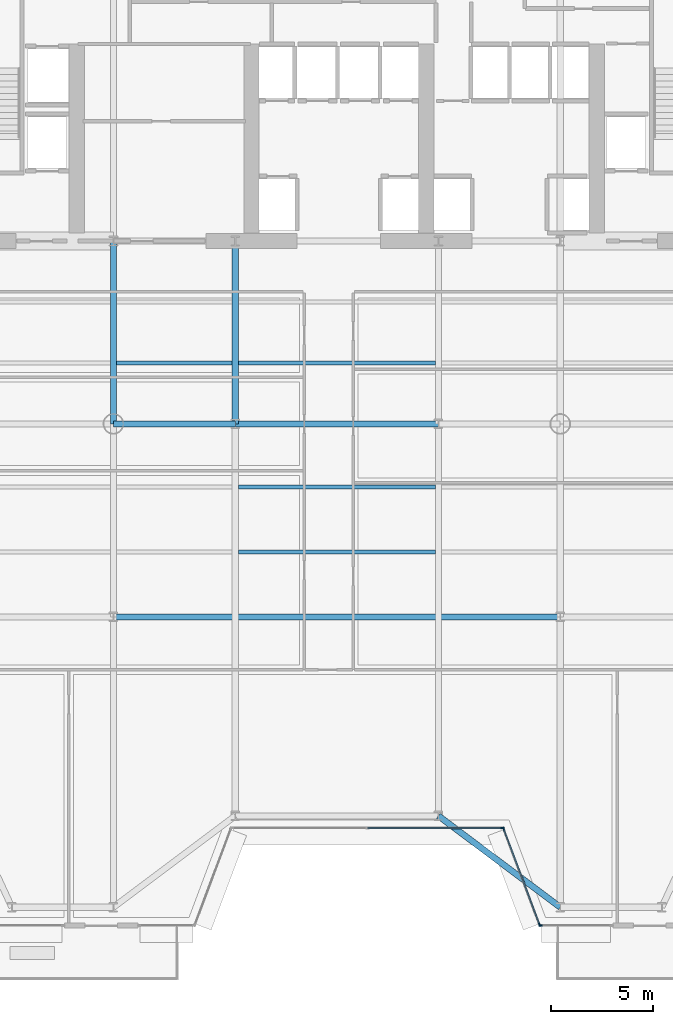
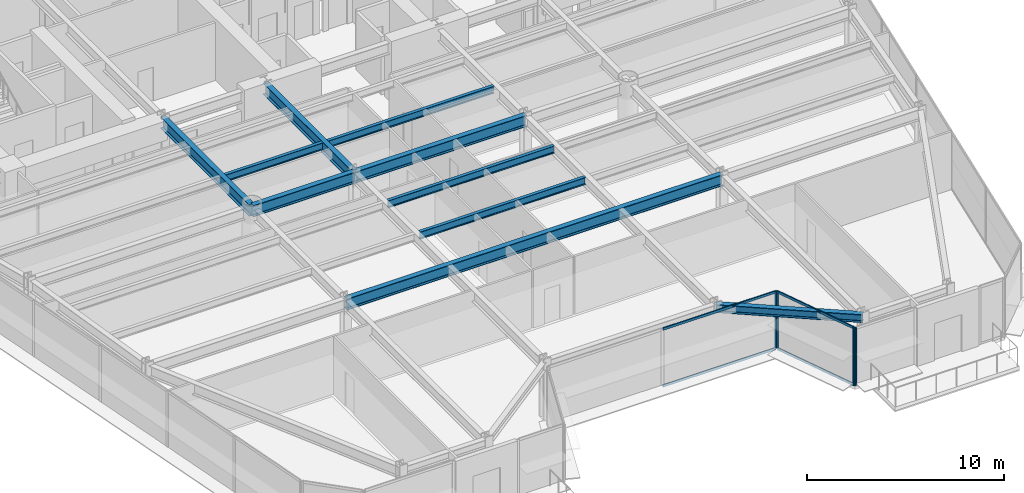
# One storey, part 4 of 17: 10 beams, 8 members, 3 elements without a shape of their own.
"""IFC4 building model written with IfcOpenShell, lengths in metres."""

from ifc_helpers import new_model, si_unit, direction, frame, origin, origin_2d, place, context, subcontext, project, spatial, rectangle, i_section, extrude, source, transform, mapped, material, layer, layer_set, material_profile, profile_set, type_object, element, aggregate, save


model = new_model("IFC4")

# Units and contexts
model_context = context("Model", 3, precision=1e-05, world=origin(), true_north=direction((0.0, 1.0)))
body_context = subcontext(model_context, "Body", "Model", "MODEL_VIEW")
ifc_project = project(units=[si_unit("LENGTHUNIT", "METRE"), si_unit("AREAUNIT", "SQUARE_METRE"), si_unit("VOLUMEUNIT", "CUBIC_METRE"), si_unit("PLANEANGLEUNIT", "RADIAN"), si_unit("MASSUNIT", "GRAM", prefix="KILO")], contexts=[model_context])

# Site, building, storey
site_placement = place(None, origin())
site = spatial("IfcSite", under=ifc_project, at=site_placement, CompositionType="ELEMENT")
building_placement = place(site_placement, origin())
building = spatial("IfcBuilding", under=site, at=building_placement, Name="Vaeldorn Concourse Tower", CompositionType="ELEMENT")
storey_placement = place(building_placement, frame((0.0, 0.0, 153.800048828125)))
storey = spatial("IfcBuildingStorey", under=building, at=storey_placement, Name="L39", CompositionType="ELEMENT", Elevation=153.800048828125)

# Beams
ifc_material_1 = material(Name="Steel S355", Category="steel")
ifc_material_profile_1 = material_profile(ifc_material_1, i_section(OverallWidth=0.300048828125, OverallDepth=0.699951171875, WebThickness=0.01708984375, FlangeThickness=0.031982421875, FilletRadius=0.027099609375, at=origin_2d()), Name="HEB 700")
ifc_profile_set_1 = profile_set([ifc_material_profile_1], Name="Steel S355")
beam_type_1 = type_object("IfcBeamType", Name="BM-PG-HEB700", PredefinedType="BEAM", material=ifc_profile_set_1)
shared_shape_1 = source(origin(), body_context, "Body", "SweptSolid", [
    extrude(i_section(OverallWidth=0.300048828125, OverallDepth=0.699951171875, WebThickness=0.01708984375, FlangeThickness=0.031982421875, FilletRadius=0.027099609375, at=origin_2d()), origin(), (0.0, 0.0, 1.0), 6.0),
])
beam_1_placement = place(storey_placement, frame((23.0, 27.5, 3.22998046875), z_axis=(1.0, 0.0, 0.0), x_axis=(0.0, 1.0, 0.0)))
element("IfcBeam", 1, at=beam_1_placement, inside=storey, type_object=beam_type_1, Name="Beam BM-L39-C-TW1-C-TW2", PredefinedType="BEAM", context=body_context, shape_type="MappedRepresentation", body=[
    mapped(shared_shape_1, transform((0.0, 0.0, 0.0), scale=1.0)),
])
shared_shape_2 = source(origin(), body_context, "Body", "SweptSolid", [
    extrude(i_section(OverallWidth=0.300048828125, OverallDepth=0.699951171875, WebThickness=0.01708984375, FlangeThickness=0.031982421875, FilletRadius=0.027099609375, at=origin_2d()), origin(), (0.0, 0.0, 1.0), 10.0),
])
beam_2_placement = place(storey_placement, frame((29.0, 27.5, 3.22998046875), z_axis=(1.0, 0.0, 0.0), x_axis=(0.0, 1.0, 0.0)))
element("IfcBeam", 2, at=beam_2_placement, inside=storey, type_object=beam_type_1, Name="Beam BM-L39-C-TW2-C-TW3", PredefinedType="BEAM", context=body_context, shape_type="MappedRepresentation", body=[
    mapped(shared_shape_2, transform((0.0, 0.0, 0.0), scale=1.0)),
])
shared_shape_3 = source(origin(), body_context, "Body", "SweptSolid", [
    extrude(i_section(OverallWidth=0.300048828125, OverallDepth=0.699951171875, WebThickness=0.01708984375, FlangeThickness=0.031982421875, FilletRadius=0.027099609375, at=origin_2d()), origin(), (0.0, 0.0, 1.0), 9.0),
])
for number, where, z_axis, x_axis, name in (
    (3, (23.0, 27.5, 3.22998046875), (0.0, 1.0, 0.0), (-1.0, 0.0, 0.0), "Beam BM-L39-C-TW1-C-FC2"),
    (4, (29.0, 27.5, 3.22998046875), (0.0, 1.0, 0.0), (-1.0, 0.0, 0.0), "Beam BM-L39-C-TW2-C-FC3"),
):
    element("IfcBeam", number, at=place(storey_placement, frame(where, z_axis=z_axis, x_axis=x_axis)), inside=storey, type_object=beam_type_1, Name=name, PredefinedType="BEAM", context=body_context, shape_type="MappedRepresentation", body=[
        mapped(shared_shape_3, transform((0.0, 0.0, 0.0), scale=1.0)),
    ])
ifc_material_profile_2 = material_profile(ifc_material_1, i_section(OverallWidth=0.300048828125, OverallDepth=0.5, WebThickness=0.014404296875, FlangeThickness=0.028076171875, FilletRadius=0.027099609375, at=origin_2d()), Name="HEB 500")
ifc_profile_set_2 = profile_set([ifc_material_profile_2], Name="Steel S355")
beam_type_2 = type_object("IfcBeamType", Name="BM-SP-HEB500", PredefinedType="SPANDREL", material=ifc_profile_set_2)
shared_shape_4 = source(origin(), body_context, "Body", "SweptSolid", [
    extrude(i_section(OverallWidth=0.300048828125, OverallDepth=0.5, WebThickness=0.014404296875, FlangeThickness=0.028076171875, FilletRadius=0.027099609375, at=origin_2d()), origin(), (0.0, 0.0, 1.0), 7.5),
])
beam_3_placement = place(storey_placement, frame((39.0, 8.199951171875, 3.329833984375), z_axis=(0.8, -0.6, 0.0), x_axis=(0.6, 0.8, 0.0)))
element("IfcBeam", 5, at=beam_3_placement, inside=storey, type_object=beam_type_2, Name="Beam BM-L39-C-SF4-C-SF5", PredefinedType="SPANDREL", context=body_context, shape_type="MappedRepresentation", body=[
    mapped(shared_shape_4, transform((0.0, 0.0, 0.0), scale=1.0)),
])
shared_shape_5 = source(origin(), body_context, "Body", "SweptSolid", [
    extrude(i_section(OverallWidth=0.300048828125, OverallDepth=0.699951171875, WebThickness=0.01708984375, FlangeThickness=0.031982421875, FilletRadius=0.027099609375, at=origin_2d()), origin(), (0.0, 0.0, 1.0), 22.0),
])
beam_4_placement = place(storey_placement, frame((23.0, 18.0, 3.22998046875), z_axis=(1.0, 0.0, 0.0), x_axis=(0.0, 1.0, 0.0)))
element("IfcBeam", 6, at=beam_4_placement, inside=storey, type_object=beam_type_1, Name="Beam BM-L39-C-TW5-C-TW6", PredefinedType="BEAM", context=body_context, shape_type="MappedRepresentation", body=[
    mapped(shared_shape_5, transform((0.0, 0.0, 0.0), scale=1.0)),
])
ifc_material_profile_3 = material_profile(ifc_material_1, i_section(OverallWidth=0.18994140625, OverallDepth=0.449951171875, WebThickness=0.009521484375, FlangeThickness=0.0146484375, FilletRadius=0.02099609375, at=origin_2d()), Name="IPE 450")
ifc_profile_set_3 = profile_set([ifc_material_profile_3], Name="Steel S355")
beam_type_3 = type_object("IfcBeamType", Name="BM-JS-IPE450", PredefinedType="JOIST", material=ifc_profile_set_3)
shared_shape_6 = source(origin(), body_context, "Body", "SweptSolid", [
    extrude(i_section(OverallWidth=0.18994140625, OverallDepth=0.449951171875, WebThickness=0.009521484375, FlangeThickness=0.0146484375, FilletRadius=0.02099609375, at=origin_2d()), origin(), (0.0, 0.0, 1.0), 5.7001953125),
])
beam_5_placement = place(storey_placement, frame((23.14990234375, 30.5, 3.35498046875), z_axis=(1.0, 0.0, 0.0), x_axis=(0.0, 1.0, 0.0)))
element("IfcBeam", 7, at=beam_5_placement, inside=storey, type_object=beam_type_3, Name="Beam JS-L39-W2-305", PredefinedType="JOIST", context=body_context, shape_type="MappedRepresentation", body=[
    mapped(shared_shape_6, transform((0.0, 0.0, 0.0), scale=1.0)),
])
shared_shape_7 = source(origin(), body_context, "Body", "SweptSolid", [
    extrude(i_section(OverallWidth=0.18994140625, OverallDepth=0.449951171875, WebThickness=0.009521484375, FlangeThickness=0.0146484375, FilletRadius=0.02099609375, at=origin_2d()), origin(), (0.0, 0.0, 1.0), 9.7001953125),
])
for number, where, z_axis, x_axis, name in (
    (8, (29.14990234375, 21.199951171875, 3.35498046875), (1.0, 0.0, 0.0), (0.0, 1.0, 0.0), "Beam JS-L39-C-212"),
    (9, (29.14990234375, 24.39990234375, 3.35498046875), (1.0, 0.0, 0.0), (0.0, 1.0, 0.0), "Beam JS-L39-C-244"),
    (10, (29.14990234375, 30.5, 3.35498046875), (1.0, 0.0, 0.0), (0.0, 1.0, 0.0), "Beam JS-L39-C-305"),
):
    element("IfcBeam", number, at=place(storey_placement, frame(where, z_axis=z_axis, x_axis=x_axis)), inside=storey, type_object=beam_type_3, Name=name, PredefinedType="JOIST", context=body_context, shape_type="MappedRepresentation", body=[
        mapped(shared_shape_7, transform((0.0, 0.0, 0.0), scale=1.0)),
    ])

# Curtain wall, member
ifc_material_2 = material(Name="Anodised Bronze Aluminium", Category="aluminium")
ifc_layer = layer(ifc_material_2, 0.2099609375)
ifc_layer_set = layer_set([ifc_layer], Name="Anodised Bronze Aluminium")
curtain_wall_type = type_object("IfcCurtainWallType", Name="CW-SYS-06", PredefinedType="NOTDEFINED", material=ifc_layer_set)
curtain_wall_1_placement = place(storey_placement, origin())
curtain_wall_1 = element("IfcCurtainWall", 11, at=curtain_wall_1_placement, inside=storey, type_object=curtain_wall_type, Name="Unitised Curtain Wall CW-L39-E03-1", PredefinedType="NOTDEFINED")
ifc_material_profile_4 = material_profile(ifc_material_2, rectangle(XDim=0.06494140625, YDim=0.169921875, at=origin_2d()), Name="CWM 65x170")
ifc_profile_set_4 = profile_set([ifc_material_profile_4], Name="Anodised Bronze Aluminium")
member_type_1 = type_object("IfcMemberType", Name="CWM-BRONZE-170", PredefinedType="MULLION", material=ifc_profile_set_4)
shared_shape_8 = source(origin(), body_context, "Body", "SweptSolid", [
    extrude(rectangle(XDim=0.06494140625, YDim=0.169921875, at=origin_2d()), origin(), (0.0, 0.0, 1.0), 3.579833984375),
])
member_1_placement = place(storey_placement, frame((42.16748046875, 7.60009765625, 0.0), z_axis=(0.0, 0.0, 1.0), x_axis=(0.0, 1.0, 0.0)))
member_1 = element("IfcMember", 12, at=member_1_placement, type_object=member_type_1, Name="CW-06 mullion 3", PredefinedType="MULLION", context=body_context, shape_type="MappedRepresentation", body=[
    mapped(shared_shape_8, transform((0.0, 0.0, 0.0), scale=1.0)),
])

# Curtain wall, members
curtain_wall_2_placement = place(storey_placement, origin())
curtain_wall_2 = element("IfcCurtainWall", 13, at=curtain_wall_2_placement, inside=storey, type_object=curtain_wall_type, Name="Unitised Curtain Wall CW-L39-E04-1", PredefinedType="NOTDEFINED")
member_2_placement = place(storey_placement, frame((42.21142578125, 7.569580078125, 0.0), z_axis=(0.0, 0.0, 1.0), x_axis=(0.936329177566, 0.351123441595, 0.0)))
member_2 = element("IfcMember", 14, at=member_2_placement, type_object=member_type_1, Name="CW-06 mullion 1", PredefinedType="MULLION", context=body_context, shape_type="MappedRepresentation", body=[
    mapped(shared_shape_8, transform((0.0, 0.0, 0.0), scale=1.0)),
])
member_3_placement = place(storey_placement, frame((43.988525390625, 2.830322265625, 0.0), z_axis=(0.0, 0.0, 1.0), x_axis=(0.936329177566, 0.351123441595, 0.0)))
member_3 = element("IfcMember", 15, at=member_3_placement, type_object=member_type_1, Name="CW-06 mullion 2", PredefinedType="MULLION", context=body_context, shape_type="MappedRepresentation", body=[
    mapped(shared_shape_8, transform((0.0, 0.0, 0.0), scale=1.0)),
])

# Curtain wall, member
curtain_wall_3_placement = place(storey_placement, origin())
curtain_wall_3 = element("IfcCurtainWall", 16, at=curtain_wall_3_placement, inside=storey, type_object=curtain_wall_type, Name="Unitised Curtain Wall CW-L39-E05-1", PredefinedType="NOTDEFINED")
member_4_placement = place(storey_placement, frame((44.032470703125, 2.800048828125, 0.0), z_axis=(0.0, 0.0, 1.0), x_axis=(0.0, 1.0, 0.0)))
member_4 = element("IfcMember", 17, at=member_4_placement, type_object=member_type_1, Name="CW-06 mullion 1", PredefinedType="MULLION", context=body_context, shape_type="MappedRepresentation", body=[
    mapped(shared_shape_8, transform((0.0, 0.0, 0.0), scale=1.0)),
])
aggregate(curtain_wall_3, [member_4])

# Member
ifc_material_profile_5 = material_profile(ifc_material_2, rectangle(XDim=0.06494140625, YDim=0.14990234375, at=origin_2d()), Name="CWT 65x150")
ifc_profile_set_5 = profile_set([ifc_material_profile_5], Name="Anodised Bronze Aluminium")
member_type_2 = type_object("IfcMemberType", Name="CWT-BRONZE-150", PredefinedType="USERDEFINED", material=ifc_profile_set_5)
shared_shape_9 = source(origin(), body_context, "Body", "SweptSolid", [
    extrude(rectangle(XDim=0.06494140625, YDim=0.14990234375, at=origin_2d()), origin(), (0.0, 0.0, 1.0), 4.996337890625),
])
member_5_placement = place(storey_placement, frame((42.222900390625, 7.5390625, 0.032470703125), z_axis=(0.351134151405, -0.936325161318, 0.0), x_axis=(0.936325161318, 0.351134151405, 0.0)))
member_5 = element("IfcMember", 18, at=member_5_placement, type_object=member_type_2, Name="CW-06 transom 1.1", ObjectType="TRANSOM", PredefinedType="USERDEFINED", context=body_context, shape_type="MappedRepresentation", body=[
    mapped(shared_shape_9, transform((0.0, 0.0, 0.0), scale=1.0)),
])

member_6_placement = place(storey_placement, frame((42.222900390625, 7.5390625, 3.54736328125), z_axis=(0.351134151405, -0.936325161318, 0.0), x_axis=(0.936325161318, 0.351134151405, 0.0)))
member_6 = element("IfcMember", 19, at=member_6_placement, type_object=member_type_2, Name="CW-06 transom 1.2", ObjectType="TRANSOM", PredefinedType="USERDEFINED", context=body_context, shape_type="MappedRepresentation", body=[
    mapped(shared_shape_9, transform((0.0, 0.0, 0.0), scale=1.0)),
])

aggregate(curtain_wall_2, [member_2, member_3, member_5, member_6])

shared_shape_10 = source(origin(), body_context, "Body", "SweptSolid", [
    extrude(rectangle(XDim=0.06494140625, YDim=0.14990234375, at=origin_2d()), origin(), (0.0, 0.0, 1.0), 6.6025390625),
])
member_7_placement = place(storey_placement, frame((35.532470703125, 7.60009765625, 0.032470703125), z_axis=(1.0, 0.0, 0.0), x_axis=(0.0, 1.0, 0.0)))
member_7 = element("IfcMember", 20, at=member_7_placement, type_object=member_type_2, Name="CW-06 transom 2.1", ObjectType="TRANSOM", PredefinedType="USERDEFINED", context=body_context, shape_type="MappedRepresentation", body=[
    mapped(shared_shape_10, transform((0.0, 0.0, 0.0), scale=1.0)),
])

member_8_placement = place(storey_placement, frame((35.532470703125, 7.60009765625, 3.54736328125), z_axis=(1.0, 0.0, 0.0), x_axis=(0.0, 1.0, 0.0)))
member_8 = element("IfcMember", 21, at=member_8_placement, type_object=member_type_2, Name="CW-06 transom 2.2", ObjectType="TRANSOM", PredefinedType="USERDEFINED", context=body_context, shape_type="MappedRepresentation", body=[
    mapped(shared_shape_10, transform((0.0, 0.0, 0.0), scale=1.0)),
])

aggregate(curtain_wall_1, [member_1, member_7, member_8])

save(model, "model.ifc")
